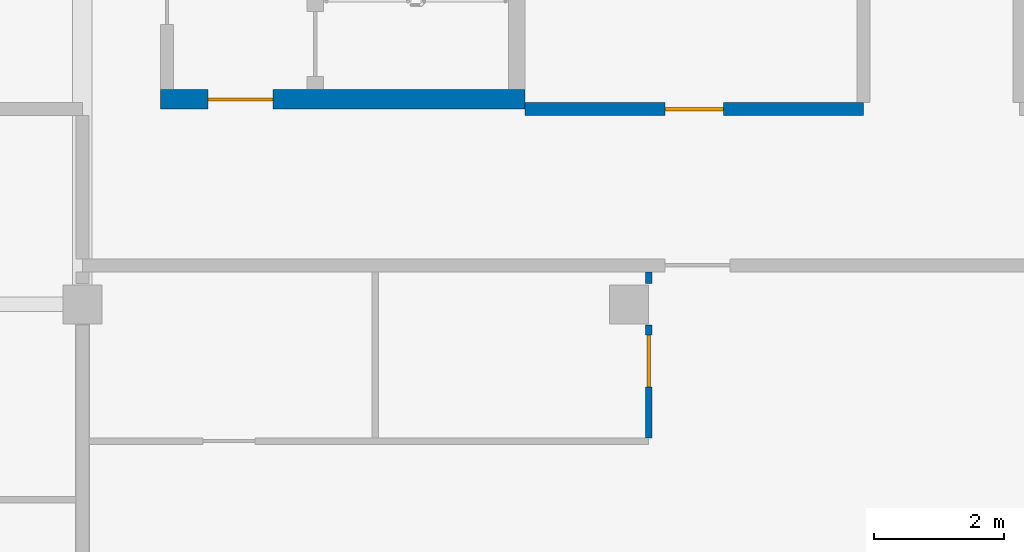
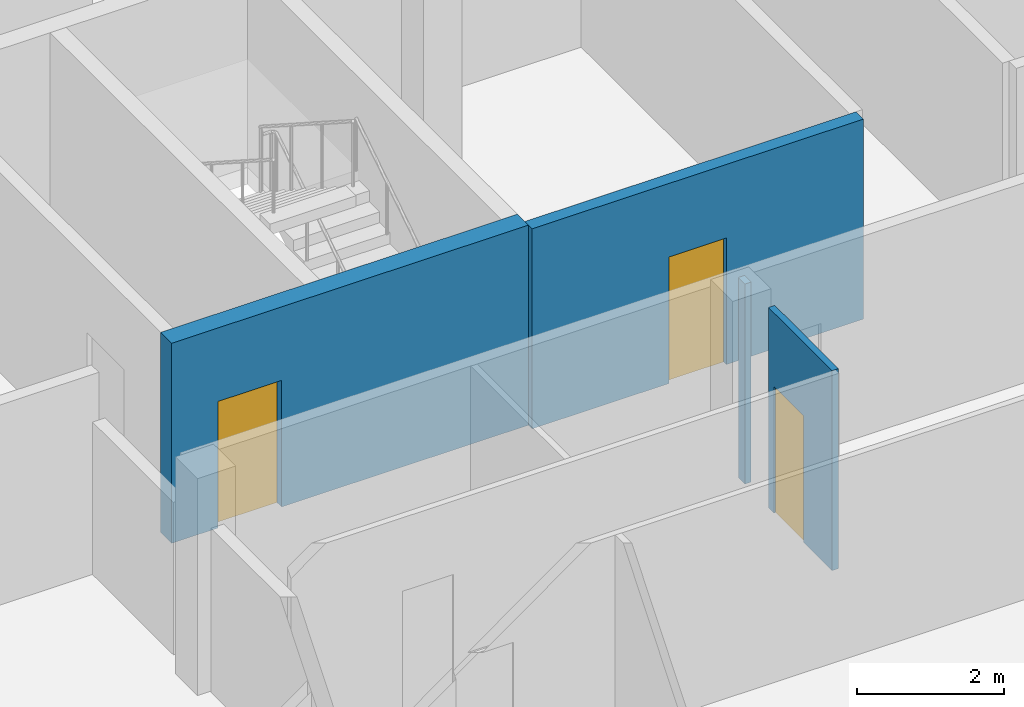
# One storey, part 18 of 30: 4 walls, 3 doors, 3 openings.
"""IFC4 building model written with IfcOpenShell, lengths in metres."""

from ifc_helpers import new_model, si_unit, direction, frame, frame_2d, origin, place, context, subcontext, project, spatial, rectangle, extrude, material, layer, layer_set, type_object, element, fill, save


model = new_model("IFC4")

# Units and contexts
model_context = context("Model", 3, precision=1e-05, world=origin(), true_north=direction((0.0, 1.0)))
body_context = subcontext(model_context, "Body", "Model", "MODEL_VIEW")
ifc_project = project(units=[si_unit("LENGTHUNIT", "METRE"), si_unit("AREAUNIT", "SQUARE_METRE"), si_unit("VOLUMEUNIT", "CUBIC_METRE"), si_unit("PLANEANGLEUNIT", "RADIAN"), si_unit("MASSUNIT", "GRAM", prefix="KILO")], contexts=[model_context])

# Site, building, storey
site_placement = place(None, origin())
site = spatial("IfcSite", under=ifc_project, at=site_placement, CompositionType="ELEMENT")
building_placement = place(site_placement, origin())
building = spatial("IfcBuilding", under=site, at=building_placement, Name="Saffron Gate Tower", CompositionType="ELEMENT")
storey_placement = place(building_placement, frame((0.0, 0.0, 245.10009765625)))
storey = spatial("IfcBuildingStorey", under=building, at=storey_placement, Name="L60", CompositionType="ELEMENT", Elevation=245.10009765625)

# Wall, opening, door
ifc_material_1 = material(Name="Concrete C60", Category="concrete")
ifc_layer_1 = layer(ifc_material_1, 0.300048828125)
ifc_layer_set_1 = layer_set([ifc_layer_1], Name="CW17 RC core wall 300 C60")
wall_type_1 = type_object("IfcWallType", Name="CW17 RC core wall 300 C60", PredefinedType="SOLIDWALL", material=ifc_layer_set_1)
wall_1_placement = place(storey_placement, frame((101.39990234375, 43.35009765625, 0.0), z_axis=(0.0, 0.0, 1.0), x_axis=(1.0, 0.0, 0.0)))
wall_1 = element("IfcWall", 1, at=wall_1_placement, inside=storey, type_object=wall_type_1, Name="Wall CW17-L60-E-1", PredefinedType="SOLIDWALL", context=body_context, shape_type="SweptSolid", body=[
    extrude(rectangle(XDim=5.60009765625, YDim=0.300048828125, at=frame_2d((2.800048828125, 0.0))), origin(), (0.0, 0.0, 1.0), 3.31982421875),
])
opening_1_placement = place(wall_1_placement, frame((0.72509765625, 0.0, 0.0)))
opening_1 = element("IfcOpeningElement", 2, at=opening_1_placement, cuts=wall_1, Name="Opening CR-21", PredefinedType="OPENING", context=body_context, shape_type="SweptSolid", body=[
    extrude(rectangle(XDim=1.0, YDim=2.10009765625, at=frame_2d((0.5, 1.050048828125))), frame((0.0, 0.16015625, 0.0), z_axis=(0.0, -1.0, 0.0), x_axis=(1.0, 0.0, 0.0)), (0.0, 0.0, 1.0), 0.320068359375),
])
ifc_material_2 = material(Name="Steel fire door set", Category="steel")
door_type_1 = type_object("IfcDoorType", Name="CD4 Lobby door 1000x2100 EI 120", OperationType="NOTDEFINED", PredefinedType="DOOR", material=ifc_material_2)
door_1_placement = place(opening_1_placement, origin())
door_1 = element("IfcDoor", 3, at=door_1_placement, inside=storey, type_object=door_type_1, Name="DOOR CR-21", OperationType="SINGLE_SWING_RIGHT", OverallHeight=2.10009765625, OverallWidth=1.0, PredefinedType="DOOR", context=body_context, shape_type="SweptSolid", body=[
    extrude(rectangle(XDim=1.0, YDim=2.10009765625, at=frame_2d((0.5, 1.050048828125))), frame((0.0, 0.02490234375, 0.0), z_axis=(0.0, -1.0, 0.0), x_axis=(1.0, 0.0, 0.0)), (0.0, 0.0, 1.0), 0.050048828125),
])
fill(opening_1, door_1)

ifc_material_3 = material(Name="Plasterboard on steel studs", Category="steel")
ifc_layer_2 = layer(ifc_material_3, 0.10009765625)
ifc_layer_set_2 = layer_set([ifc_layer_2], Name="PW1 Partition 100")
wall_type_2 = type_object("IfcWallType", Name="PW1 Partition 100", PredefinedType="PARTITIONING", material=ifc_layer_set_2)
wall_2_placement = place(storey_placement, frame((108.89990234375, 38.14990234375, 0.0), z_axis=(0.0, 0.0, 1.0), x_axis=(0.0, 1.0, 0.0)))
wall_2 = element("IfcWall", 4, at=wall_2_placement, inside=storey, type_object=wall_type_2, Name="Partition D4-99", PredefinedType="PARTITIONING", context=body_context, shape_type="SweptSolid", body=[
    extrude(rectangle(XDim=1.72998046875, YDim=0.10009765625, at=frame_2d((0.864990234375, 0.0))), origin(), (0.0, 0.0, 1.0), 3.31982421875),
])
opening_2_placement = place(wall_2_placement, frame((0.780029296875, 0.0, 0.0)))
opening_2 = element("IfcOpeningElement", 5, at=opening_2_placement, cuts=wall_2, Name="Opening D4-42", PredefinedType="OPENING", context=body_context, shape_type="SweptSolid", body=[
    extrude(rectangle(XDim=0.800048828125, YDim=2.10009765625, at=frame_2d((0.39990234375, 1.050048828125))), frame((0.0, 0.06005859375, 0.0), z_axis=(0.0, -1.0, 0.0), x_axis=(1.0, 0.0, 0.0)), (0.0, 0.0, 1.0), 0.1201171875),
])
ifc_material_4 = material(Name="Timber door set", Category="wood")
door_type_2 = type_object("IfcDoorType", Name="RD2 Bathroom door 800x2100", OperationType="NOTDEFINED", PredefinedType="DOOR", material=ifc_material_4)
door_2_placement = place(opening_2_placement, origin())
door_2 = element("IfcDoor", 6, at=door_2_placement, inside=storey, type_object=door_type_2, Name="Door D4-42", OperationType="SINGLE_SWING_RIGHT", OverallHeight=2.10009765625, OverallWidth=0.800048828125, PredefinedType="DOOR", context=body_context, shape_type="SweptSolid", body=[
    extrude(rectangle(XDim=0.800048828125, YDim=2.10009765625, at=frame_2d((0.39990234375, 1.050048828125))), frame((0.0, 0.02490234375, 0.0), z_axis=(0.0, -1.0, 0.0), x_axis=(1.0, 0.0, 0.0)), (0.0, 0.0, 1.0), 0.050048828125),
])
fill(opening_2, door_2)

# Wall
wall_3_placement = place(storey_placement, frame((108.89990234375, 40.699951171875, 0.0), z_axis=(0.0, 0.0, 1.0), x_axis=(0.0, -1.0, 0.0)))
element("IfcWall", 7, at=wall_3_placement, inside=storey, type_object=wall_type_2, Name="Partition D4-100", PredefinedType="PARTITIONING", context=body_context, shape_type="SweptSolid", body=[
    extrude(rectangle(XDim=0.179931640625, YDim=0.10009765625, at=frame_2d((0.08984375, 0.0))), origin(), (0.0, 0.0, 1.0), 3.31982421875),
])

# Wall, opening, door
ifc_material_5 = material(Name="Clay brick masonry, rendered", Category="masonry")
ifc_layer_3 = layer(ifc_material_5, 0.199951171875)
ifc_layer_set_3 = layer_set([ifc_layer_3], Name="PW3 Corridor wall 200")
wall_type_3 = type_object("IfcWallType", Name="PW3 Corridor wall 200", PredefinedType="PARTITIONING", material=ifc_layer_set_3)
wall_4_placement = place(storey_placement, frame((107.0, 43.199951171875, 0.0), z_axis=(0.0, 0.0, 1.0), x_axis=(1.0, 0.0, 0.0)))
wall_4 = element("IfcWall", 8, at=wall_4_placement, inside=storey, type_object=wall_type_3, Name="Wall D4-19", PredefinedType="PARTITIONING", context=body_context, shape_type="SweptSolid", body=[
    extrude(rectangle(XDim=5.199951171875, YDim=0.199951171875, at=frame_2d((2.60009765625, 0.0))), origin(), (0.0, 0.0, 1.0), 3.31982421875),
])
opening_3_placement = place(wall_4_placement, frame((2.14990234375, 0.0, 0.0)))
opening_3 = element("IfcOpeningElement", 9, at=opening_3_placement, cuts=wall_4, Name="Opening D4-51", PredefinedType="OPENING", context=body_context, shape_type="SweptSolid", body=[
    extrude(rectangle(XDim=0.89990234375, YDim=2.10009765625, at=frame_2d((0.449951171875, 1.050048828125))), frame((0.0, 0.10986328125, 0.0), z_axis=(0.0, -1.0, 0.0), x_axis=(1.0, 0.0, 0.0)), (0.0, 0.0, 1.0), 0.219970703125),
])
door_type_3 = type_object("IfcDoorType", Name="SD1 Service door 900x2100", OperationType="NOTDEFINED", PredefinedType="DOOR", material=ifc_material_2)
door_3_placement = place(opening_3_placement, origin())
door_3 = element("IfcDoor", 10, at=door_3_placement, inside=storey, type_object=door_type_3, Name="Door D4-51", OperationType="SINGLE_SWING_LEFT", OverallHeight=2.10009765625, OverallWidth=0.89990234375, PredefinedType="DOOR", context=body_context, shape_type="SweptSolid", body=[
    extrude(rectangle(XDim=0.89990234375, YDim=2.10009765625, at=frame_2d((0.449951171875, 1.050048828125))), frame((0.0, 0.02490234375, 0.0), z_axis=(0.0, -1.0, 0.0), x_axis=(1.0, 0.0, 0.0)), (0.0, 0.0, 1.0), 0.050048828125),
])
fill(opening_3, door_3)

save(model, "model.ifc")
